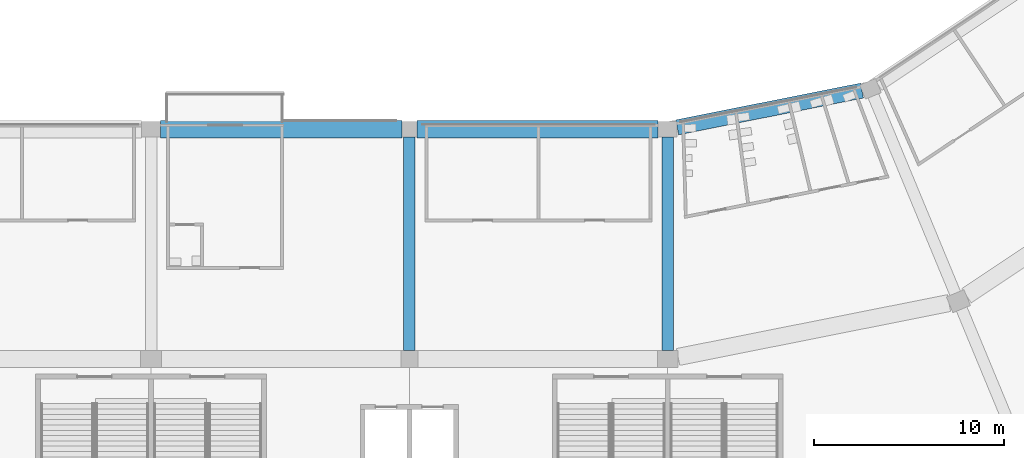
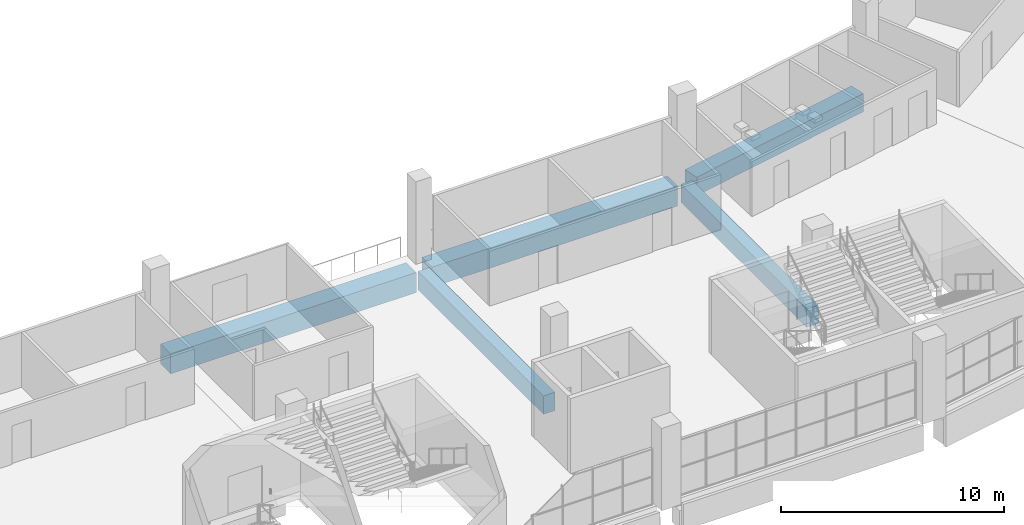
# One storey, part 16 of 199: 5 beams.
"""IFC4 building model written with IfcOpenShell, lengths in metres."""

from ifc_helpers import new_model, si_unit, direction, frame, origin, origin_2d, place, context, subcontext, project, spatial, rectangle, extrude, material, material_profile, profile_set, type_object, element, save


model = new_model("IFC4")

# Units and contexts
model_context = context("Model", 3, precision=1e-05, world=origin(), true_north=direction((0.0, 1.0)))
body_context = subcontext(model_context, "Body", "Model", "MODEL_VIEW")
ifc_project = project(units=[si_unit("LENGTHUNIT", "METRE"), si_unit("AREAUNIT", "SQUARE_METRE"), si_unit("VOLUMEUNIT", "CUBIC_METRE"), si_unit("PLANEANGLEUNIT", "RADIAN"), si_unit("MASSUNIT", "GRAM", prefix="KILO")], contexts=[model_context])

# Site, building, storey
site_placement = place(None, origin())
site = spatial("IfcSite", under=ifc_project, at=site_placement, CompositionType="ELEMENT")
building_placement = place(site_placement, origin())
building = spatial("IfcBuilding", under=site, at=building_placement, Name="Ogive Plaza Stadium", CompositionType="ELEMENT")
storey_placement = place(building_placement, frame((0.0, 0.0, 9.0)))
storey = spatial("IfcBuildingStorey", under=building, at=storey_placement, Name="L02", CompositionType="ELEMENT", Elevation=9.0)

# Beams
ifc_material_1 = material(Name="Concrete C40/50", Category="concrete")
ifc_material_profile_1 = material_profile(ifc_material_1, rectangle(XDim=0.60009765625, YDim=1.0, at=origin_2d()), Name="RC 600x1000")
ifc_profile_set_1 = profile_set([ifc_material_profile_1], Name="Concrete C40/50")
beam_type_1 = type_object("IfcBeamType", Name="RC radial beam 600x1000", PredefinedType="BEAM", material=ifc_profile_set_1)
for number, where, z_axis, x_axis, name in (
    (1, (34.0, -80.800048828125, -0.909912109375), (0.0, -1.0, 0.0), (1.0, 0.0, 0.0), "Radial beam L02 R12 F3F4"),
    (2, (20.39990234375, -80.800048828125, -0.909912109375), (0.0, -1.0, 0.0), (1.0, 0.0, 0.0), "Radial beam L02 R13 F3F4"),
):
    element("IfcBeam", number, at=place(storey_placement, frame(where, z_axis=z_axis, x_axis=x_axis)), inside=storey, type_object=beam_type_1, Name=name, PredefinedType="BEAM", context=body_context, shape_type="SweptSolid", body=[
        extrude(rectangle(XDim=0.60009765625, YDim=1.0, at=origin_2d()), origin(), (0.0, 0.0, 1.0), 11.25),
    ])
ifc_material_2 = material(Name="Concrete C40/50", Category="concrete")
ifc_material_profile_2 = material_profile(ifc_material_2, rectangle(XDim=0.800048828125, YDim=1.0, at=origin_2d()), Name="RC 800x1000")
ifc_profile_set_2 = profile_set([ifc_material_profile_2], Name="Concrete C40/50")
beam_type_2 = type_object("IfcBeamType", Name="RC ring beam 800x1000", PredefinedType="BEAM", material=ifc_profile_set_2)
beam_placement = place(storey_placement, frame((44.226806640625, -78.36572265625, -0.909912109375), z_axis=(-0.980784656884, -0.195093456635, 0.0), x_axis=(0.195093456635, -0.980784656884, 0.0)))
element("IfcBeam", 3, at=beam_placement, inside=storey, type_object=beam_type_2, Name="Ring beam F3 L02 B11", PredefinedType="BEAM", context=body_context, shape_type="SweptSolid", body=[
    extrude(rectangle(XDim=0.800048828125, YDim=1.0, at=origin_2d()), origin(), (0.0, 0.0, 1.0), 9.91748046875),
])
ifc_material_3 = material(Name="Concrete C40/50", Category="concrete")
ifc_material_profile_3 = material_profile(ifc_material_3, rectangle(XDim=0.89990234375, YDim=1.10009765625, at=origin_2d()), Name="RC 900x1100")
ifc_profile_set_3 = profile_set([ifc_material_profile_3], Name="Concrete C40/50")
beam_type_3 = type_object("IfcBeamType", Name="RC ring beam 900x1100", PredefinedType="BEAM", material=ifc_profile_set_3)
for number, where, z_axis, x_axis, name in (
    (4, (33.5, -80.39990234375, -0.9599609375), (-1.0, 0.0, 0.0), (0.0, -1.0, 0.0), "Ring beam F3 L02 B12"),
    (5, (20.0, -80.39990234375, -0.9599609375), (-1.0, 0.0, 0.0), (0.0, -1.0, 0.0), "Ring beam F3 L02 B13"),
):
    element("IfcBeam", number, at=place(storey_placement, frame(where, z_axis=z_axis, x_axis=x_axis)), inside=storey, type_object=beam_type_3, Name=name, PredefinedType="BEAM", context=body_context, shape_type="SweptSolid", body=[
        extrude(rectangle(XDim=0.89990234375, YDim=1.10009765625, at=origin_2d()), origin(), (0.0, 0.0, 1.0), 12.699951171875),
    ])

save(model, "model.ifc")
